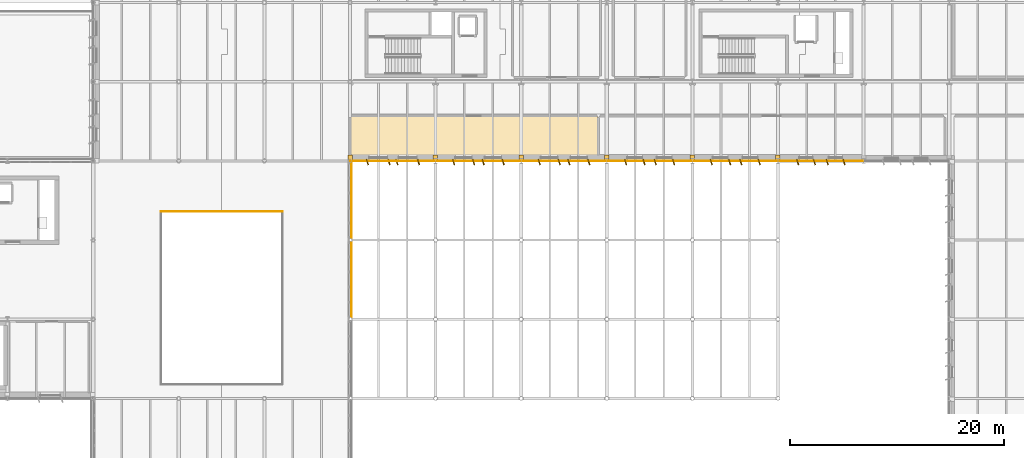
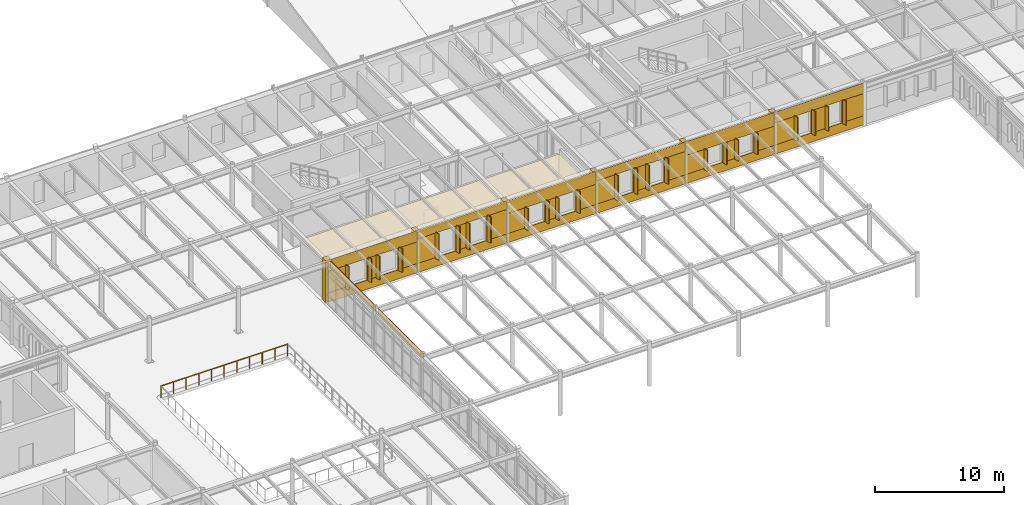
# One storey, part 55 of 63: 63 coverings, 1 railing.
"""IFC4 building model written with IfcOpenShell, lengths in metres."""

from ifc_helpers import new_model, si_unit, direction, frame, frame_2d, origin, origin_2d, place, context, subcontext, project, spatial, polyline, rectangle, circle, outline, extrude, material, layer, layer_set, type_object, element, save


model = new_model("IFC4")

# Units and contexts
model_context = context("Model", 3, precision=1e-05, world=origin(), true_north=direction((0.0, 1.0)))
body_context = subcontext(model_context, "Body", "Model", "MODEL_VIEW")
ifc_project = project(units=[si_unit("LENGTHUNIT", "METRE"), si_unit("AREAUNIT", "SQUARE_METRE"), si_unit("VOLUMEUNIT", "CUBIC_METRE"), si_unit("PLANEANGLEUNIT", "RADIAN"), si_unit("MASSUNIT", "GRAM", prefix="KILO")], contexts=[model_context])

# Site, building, storey
site_placement = place(None, origin())
site = spatial("IfcSite", under=ifc_project, at=site_placement, CompositionType="ELEMENT")
building_placement = place(site_placement, origin())
building = spatial("IfcBuilding", under=site, at=building_placement, Name="Valkorina Park Police Headquarters", CompositionType="ELEMENT")
storey_placement = place(building_placement, frame((0.0, 0.0, 9.89990234375)))
storey = spatial("IfcBuildingStorey", under=building, at=storey_placement, Name="L03", CompositionType="ELEMENT", Elevation=9.89990234375)

# Coverings
ifc_material_1 = material(Name="Acoustic mineral board")
ifc_layer_1 = layer(ifc_material_1, 0.02490234375)
ifc_layer_set_1 = layer_set([ifc_layer_1], Name="Acoustic mineral board")
covering_type_1 = type_object("IfcCoveringType", Name="COV-CEILING-ACOUST", PredefinedType="CEILING", material=ifc_layer_set_1)
covering_1_placement = place(storey_placement, frame((0.0, 0.0, 3.405029296875)))
element("IfcCovering", 1, at=covering_1_placement, inside=storey, type_object=covering_type_1, Name="TETRA Encrypted Radio Core Suite Acoustic Suspended Ceiling", PredefinedType="CEILING", context=body_context, shape_type="SweptSolid", body=[
    extrude(outline(polyline([(103.95849609375, 59.704345703125), (103.959716796875, 59.712158203125), (103.9599609375, 59.719970703125), (103.9599609375, 63.280029296875), (103.959716796875, 63.287841796875), (103.95849609375, 63.295654296875), (103.95654296875, 63.30322265625), (103.953857421875, 63.310546875), (103.95068359375, 63.317626953125), (103.946533203125, 63.324462890625), (103.94189453125, 63.330810546875), (103.9365234375, 63.336669921875), (103.930908203125, 63.341796875), (103.92431640625, 63.346435546875), (103.917724609375, 63.3505859375), (103.91064453125, 63.35400390625), (103.9033203125, 63.356689453125), (103.8955078125, 63.3583984375), (103.8876953125, 63.359619140625), (103.8798828125, 63.360107421875), (80.919921875, 63.360107421875), (80.912109375, 63.359619140625), (80.904296875, 63.3583984375), (80.896728515625, 63.356689453125), (80.889404296875, 63.35400390625), (80.88232421875, 63.3505859375), (80.87548828125, 63.346435546875), (80.869140625, 63.341796875), (80.86328125, 63.336669921875), (80.858154296875, 63.330810546875), (80.853515625, 63.324462890625), (80.849365234375, 63.317626953125), (80.84619140625, 63.310546875), (80.843505859375, 63.30322265625), (80.841552734375, 63.295654296875), (80.84033203125, 63.287841796875), (80.840087890625, 63.280029296875), (80.840087890625, 59.719970703125), (80.84033203125, 59.712158203125), (80.841552734375, 59.704345703125), (80.843505859375, 59.69677734375), (80.84619140625, 59.689453125), (80.849365234375, 59.682373046875), (80.853515625, 59.675537109375), (80.858154296875, 59.669189453125), (80.86328125, 59.663330078125), (80.869140625, 59.658203125), (80.87548828125, 59.653564453125), (80.88232421875, 59.6494140625), (80.889404296875, 59.64599609375), (80.896728515625, 59.643310546875), (80.904296875, 59.6416015625), (80.912109375, 59.640380859375), (80.919921875, 59.639892578125), (103.8798828125, 59.639892578125), (103.8876953125, 59.640380859375), (103.8955078125, 59.6416015625), (103.9033203125, 59.643310546875), (103.91064453125, 59.64599609375), (103.917724609375, 59.6494140625), (103.92431640625, 59.653564453125), (103.930908203125, 59.658203125), (103.9365234375, 59.663330078125), (103.94189453125, 59.669189453125), (103.946533203125, 59.675537109375), (103.95068359375, 59.682373046875), (103.953857421875, 59.689453125), (103.95654296875, 59.69677734375), (103.95849609375, 59.704345703125)])), origin(), (0.0, 0.0, 1.0), 0.025146484375),
])
ifc_material_2 = material(Name="Precast concrete C40/50", Category="concrete")
ifc_layer_2 = layer(ifc_material_2, 0.044921875)
ifc_layer_set_2 = layer_set([ifc_layer_2], Name="Precast concrete C40/50")
covering_type_2 = type_object("IfcCoveringType", Name="COV-CLAD-DOLOMITE", PredefinedType="CLADDING", material=ifc_layer_set_2)
covering_2_placement = place(storey_placement, frame((120.7900390625, 59.489990234375, 0.0), z_axis=(0.0, 0.0, 1.0), x_axis=(1.0, 0.0, 0.0)))
element("IfcCovering", 2, at=covering_2_placement, inside=storey, type_object=covering_type_2, Name="L03 Exterior Joint Closure Pilaster B 2054", PredefinedType="CLADDING", context=body_context, shape_type="SweptSolid", body=[
    extrude(rectangle(XDim=0.419921875, YDim=0.52197265625, at=origin_2d()), origin(), (0.0, 0.0, 1.0), 3.955078125),
])
for number, where, z_axis, x_axis, name in (
    (3, (126.96728515625, 59.080078125, 0.780029296875), (0.0, 0.0, 1.0), (0.317304656405, -0.948323655206, 0.0), "Slanted 18.5-deg Precast Window Slot Fin 2055"),
    (4, (125.3974609375, 59.080078125, 0.780029296875), (0.0, 0.0, 1.0), (0.317304656405, -0.948323655206, 0.0), "Slanted 18.5-deg Precast Window Slot Fin 2056"),
    (5, (124.20263671875, 59.080078125, 0.780029296875), (0.0, 0.0, 1.0), (0.317304656405, -0.948323655206, 0.0), "Slanted 18.5-deg Precast Window Slot Fin 2057"),
    (6, (122.632568359375, 59.080078125, 0.780029296875), (0.0, 0.0, 1.0), (0.317304656405, -0.948323655206, 0.0), "Slanted 18.5-deg Precast Window Slot Fin 2058"),
):
    element("IfcCovering", number, at=place(storey_placement, frame(where, z_axis=z_axis, x_axis=x_axis)), inside=storey, type_object=covering_type_2, Name=name, PredefinedType="CLADDING", context=body_context, shape_type="SweptSolid", body=[
        extrude(rectangle(XDim=0.5400390625, YDim=0.090087890625, at=origin_2d()), origin(), (0.0, 0.0, 1.0), 2.2900390625),
    ])
covering_3_placement = place(storey_placement, frame((128.780029296875, 59.18505859375, 0.0), z_axis=(0.0, 0.0, 1.0), x_axis=(-1.0, 0.0, 0.0)))
element("IfcCovering", 7, at=covering_3_placement, inside=storey, type_object=covering_type_2, Name="L03 Calm Concrete Base Sill Spandrel 2059", PredefinedType="CLADDING", context=body_context, shape_type="SweptSolid", body=[
    extrude(rectangle(XDim=7.9599609375, YDim=0.044921875, at=frame_2d((3.97998046875, 0.0))), origin(), (0.0, 0.0, 1.0), 0.8701171875),
])
covering_4_placement = place(storey_placement, frame((128.780029296875, 59.18505859375, 2.97998046875), z_axis=(0.0, 0.0, 1.0), x_axis=(-1.0, 0.0, 0.0)))
element("IfcCovering", 8, at=covering_4_placement, inside=storey, type_object=covering_type_2, Name="L03 Calm Concrete Base Lintel Spandrel 2060", PredefinedType="CLADDING", context=body_context, shape_type="SweptSolid", body=[
    extrude(rectangle(XDim=7.9599609375, YDim=0.044921875, at=frame_2d((3.97998046875, 0.0))), origin(), (0.0, 0.0, 1.0), 0.97509765625),
])
covering_5_placement = place(storey_placement, frame((128.780029296875, 59.18505859375, 0.8701171875), z_axis=(0.0, 0.0, 1.0), x_axis=(-1.0, 0.0, 0.0)))
element("IfcCovering", 9, at=covering_5_placement, inside=storey, type_object=covering_type_2, Name="L03 Calm Concrete Base Slot Pier 2061", PredefinedType="CLADDING", context=body_context, shape_type="SweptSolid", body=[
    extrude(rectangle(XDim=1.922607421875, YDim=0.044921875, at=frame_2d((0.96142578125, 0.0))), origin(), (0.0, 0.0, 1.0), 2.10986328125),
])
covering_6_placement = place(storey_placement, frame((125.50732421875, 59.18505859375, 0.8701171875), z_axis=(0.0, 0.0, 1.0), x_axis=(-1.0, 0.0, 0.0)))
element("IfcCovering", 10, at=covering_6_placement, inside=storey, type_object=covering_type_2, Name="L03 Calm Concrete Base Slot Pier 2062", PredefinedType="CLADDING", context=body_context, shape_type="SweptSolid", body=[
    extrude(rectangle(XDim=1.414794921875, YDim=0.044921875, at=frame_2d((0.70751953125, 0.0))), origin(), (0.0, 0.0, 1.0), 2.10986328125),
])
covering_7_placement = place(storey_placement, frame((122.74267578125, 59.18505859375, 0.8701171875), z_axis=(0.0, 0.0, 1.0), x_axis=(-1.0, 0.0, 0.0)))
element("IfcCovering", 11, at=covering_7_placement, inside=storey, type_object=covering_type_2, Name="L03 Calm Concrete Base Slot Pier 2063", PredefinedType="CLADDING", context=body_context, shape_type="SweptSolid", body=[
    extrude(rectangle(XDim=1.922607421875, YDim=0.044921875, at=frame_2d((0.96142578125, 0.0))), origin(), (0.0, 0.0, 1.0), 2.10986328125),
])
covering_8_placement = place(storey_placement, frame((112.7900390625, 59.489990234375, 0.0), z_axis=(0.0, 0.0, 1.0), x_axis=(1.0, 0.0, 0.0)))
element("IfcCovering", 12, at=covering_8_placement, inside=storey, type_object=covering_type_2, Name="L03 Exterior Joint Closure Pilaster B 2064", PredefinedType="CLADDING", context=body_context, shape_type="SweptSolid", body=[
    extrude(rectangle(XDim=0.419921875, YDim=0.52197265625, at=origin_2d()), origin(), (0.0, 0.0, 1.0), 3.955078125),
])
for number, where, z_axis, x_axis, name in (
    (13, (119.04248046875, 59.080078125, 0.7802734375), (0.0, 0.0, 1.0), (0.317304656405, -0.948323655206, 0.0), "Slanted 18.5-deg Precast Window Slot Fin 2065"),
    (14, (117.322509765625, 59.080078125, 0.7802734375), (0.0, 0.0, 1.0), (0.317304656405, -0.948323655206, 0.0), "Slanted 18.5-deg Precast Window Slot Fin 2066"),
    (15, (116.277587890625, 59.080078125, 0.7802734375), (0.0, 0.0, 1.0), (0.317304656405, -0.948323655206, 0.0), "Slanted 18.5-deg Precast Window Slot Fin 2067"),
    (16, (114.5576171875, 59.080078125, 0.7802734375), (0.0, 0.0, 1.0), (0.317304656405, -0.948323655206, 0.0), "Slanted 18.5-deg Precast Window Slot Fin 2068"),
):
    element("IfcCovering", number, at=place(storey_placement, frame(where, z_axis=z_axis, x_axis=x_axis)), inside=storey, type_object=covering_type_2, Name=name, PredefinedType="CLADDING", context=body_context, shape_type="SweptSolid", body=[
        extrude(rectangle(XDim=0.5400390625, YDim=0.090087890625, at=origin_2d()), origin(), (0.0, 0.0, 1.0), 1.989990234375),
    ])
covering_9_placement = place(storey_placement, frame((120.780029296875, 59.18505859375, 0.0), z_axis=(0.0, 0.0, 1.0), x_axis=(-1.0, 0.0, 0.0)))
element("IfcCovering", 17, at=covering_9_placement, inside=storey, type_object=covering_type_2, Name="L03 Calm Concrete Base Sill Spandrel 2069", PredefinedType="CLADDING", context=body_context, shape_type="SweptSolid", body=[
    extrude(rectangle(XDim=7.9599609375, YDim=0.044921875, at=frame_2d((3.97998046875, 0.0))), origin(), (0.0, 0.0, 1.0), 0.8701171875),
])
covering_10_placement = place(storey_placement, frame((120.780029296875, 59.18505859375, 2.68017578125), z_axis=(0.0, 0.0, 1.0), x_axis=(-1.0, 0.0, 0.0)))
element("IfcCovering", 18, at=covering_10_placement, inside=storey, type_object=covering_type_2, Name="L03 Calm Concrete Base Lintel Spandrel 2070", PredefinedType="CLADDING", context=body_context, shape_type="SweptSolid", body=[
    extrude(rectangle(XDim=7.9599609375, YDim=0.044921875, at=frame_2d((3.97998046875, 0.0))), origin(), (0.0, 0.0, 1.0), 1.27490234375),
])
covering_11_placement = place(storey_placement, frame((120.780029296875, 59.18505859375, 0.8701171875), z_axis=(0.0, 0.0, 1.0), x_axis=(-1.0, 0.0, 0.0)))
element("IfcCovering", 19, at=covering_11_placement, inside=storey, type_object=covering_type_2, Name="L03 Calm Concrete Base Slot Pier 2071", PredefinedType="CLADDING", context=body_context, shape_type="SweptSolid", body=[
    extrude(rectangle(XDim=1.84765625, YDim=0.044921875, at=frame_2d((0.923828125, 0.0))), origin(), (0.0, 0.0, 1.0), 1.81005859375),
])
covering_12_placement = place(storey_placement, frame((117.432373046875, 59.18505859375, 0.8701171875), z_axis=(0.0, 0.0, 1.0), x_axis=(-1.0, 0.0, 0.0)))
element("IfcCovering", 20, at=covering_12_placement, inside=storey, type_object=covering_type_2, Name="L03 Calm Concrete Base Slot Pier 2072", PredefinedType="CLADDING", context=body_context, shape_type="SweptSolid", body=[
    extrude(rectangle(XDim=1.264892578125, YDim=0.044921875, at=frame_2d((0.63232421875, 0.0))), origin(), (0.0, 0.0, 1.0), 1.81005859375),
])
covering_13_placement = place(storey_placement, frame((114.66748046875, 59.18505859375, 0.8701171875), z_axis=(0.0, 0.0, 1.0), x_axis=(-1.0, 0.0, 0.0)))
element("IfcCovering", 21, at=covering_13_placement, inside=storey, type_object=covering_type_2, Name="L03 Calm Concrete Base Slot Pier 2073", PredefinedType="CLADDING", context=body_context, shape_type="SweptSolid", body=[
    extrude(rectangle(XDim=1.847412109375, YDim=0.044921875, at=frame_2d((0.923828125, 0.0))), origin(), (0.0, 0.0, 1.0), 1.81005859375),
])
covering_14_placement = place(storey_placement, frame((104.7900390625, 59.489990234375, 0.0), z_axis=(0.0, 0.0, 1.0), x_axis=(1.0, 0.0, 0.0)))
element("IfcCovering", 22, at=covering_14_placement, inside=storey, type_object=covering_type_2, Name="L03 Exterior Joint Closure Pilaster B 2074", PredefinedType="CLADDING", context=body_context, shape_type="SweptSolid", body=[
    extrude(rectangle(XDim=0.419921875, YDim=0.52197265625, at=origin_2d()), origin(), (0.0, 0.0, 1.0), 3.955078125),
])
for number, where, z_axis, x_axis, name in (
    (23, (111.04248046875, 59.080078125, 0.7802734375), (0.0, 0.0, 1.0), (0.317304656405, -0.948323655206, 0.0), "Slanted 18.5-deg Precast Window Slot Fin 2075"),
    (24, (109.322509765625, 59.080078125, 0.7802734375), (0.0, 0.0, 1.0), (0.317304656405, -0.948323655206, 0.0), "Slanted 18.5-deg Precast Window Slot Fin 2076"),
    (25, (108.277587890625, 59.080078125, 0.7802734375), (0.0, 0.0, 1.0), (0.317304656405, -0.948323655206, 0.0), "Slanted 18.5-deg Precast Window Slot Fin 2077"),
    (26, (106.5576171875, 59.080078125, 0.7802734375), (0.0, 0.0, 1.0), (0.317304656405, -0.948323655206, 0.0), "Slanted 18.5-deg Precast Window Slot Fin 2078"),
):
    element("IfcCovering", number, at=place(storey_placement, frame(where, z_axis=z_axis, x_axis=x_axis)), inside=storey, type_object=covering_type_2, Name=name, PredefinedType="CLADDING", context=body_context, shape_type="SweptSolid", body=[
        extrude(rectangle(XDim=0.5400390625, YDim=0.090087890625, at=origin_2d()), origin(), (0.0, 0.0, 1.0), 2.389892578125),
    ])
covering_15_placement = place(storey_placement, frame((112.780029296875, 59.18505859375, 0.0), z_axis=(0.0, 0.0, 1.0), x_axis=(-1.0, 0.0, 0.0)))
element("IfcCovering", 27, at=covering_15_placement, inside=storey, type_object=covering_type_2, Name="L03 Calm Concrete Base Sill Spandrel 2079", PredefinedType="CLADDING", context=body_context, shape_type="SweptSolid", body=[
    extrude(rectangle(XDim=7.9599609375, YDim=0.044921875, at=frame_2d((3.97998046875, 0.0))), origin(), (0.0, 0.0, 1.0), 0.8701171875),
])
covering_16_placement = place(storey_placement, frame((112.780029296875, 59.18505859375, 3.080078125), z_axis=(0.0, 0.0, 1.0), x_axis=(-1.0, 0.0, 0.0)))
element("IfcCovering", 28, at=covering_16_placement, inside=storey, type_object=covering_type_2, Name="L03 Calm Concrete Base Lintel Spandrel 2080", PredefinedType="CLADDING", context=body_context, shape_type="SweptSolid", body=[
    extrude(rectangle(XDim=7.9599609375, YDim=0.044921875, at=frame_2d((3.97998046875, 0.0))), origin(), (0.0, 0.0, 1.0), 0.875),
])
covering_17_placement = place(storey_placement, frame((112.780029296875, 59.18505859375, 0.8701171875), z_axis=(0.0, 0.0, 1.0), x_axis=(-1.0, 0.0, 0.0)))
element("IfcCovering", 29, at=covering_17_placement, inside=storey, type_object=covering_type_2, Name="L03 Calm Concrete Base Slot Pier 2081", PredefinedType="CLADDING", context=body_context, shape_type="SweptSolid", body=[
    extrude(rectangle(XDim=1.84765625, YDim=0.044921875, at=frame_2d((0.923828125, 0.0))), origin(), (0.0, 0.0, 1.0), 2.2099609375),
])
covering_18_placement = place(storey_placement, frame((109.432373046875, 59.18505859375, 0.8701171875), z_axis=(0.0, 0.0, 1.0), x_axis=(-1.0, 0.0, 0.0)))
element("IfcCovering", 30, at=covering_18_placement, inside=storey, type_object=covering_type_2, Name="L03 Calm Concrete Base Slot Pier 2082", PredefinedType="CLADDING", context=body_context, shape_type="SweptSolid", body=[
    extrude(rectangle(XDim=1.264892578125, YDim=0.044921875, at=frame_2d((0.63232421875, 0.0))), origin(), (0.0, 0.0, 1.0), 2.2099609375),
])
covering_19_placement = place(storey_placement, frame((106.66748046875, 59.18505859375, 0.8701171875), z_axis=(0.0, 0.0, 1.0), x_axis=(-1.0, 0.0, 0.0)))
element("IfcCovering", 31, at=covering_19_placement, inside=storey, type_object=covering_type_2, Name="L03 Calm Concrete Base Slot Pier 2083", PredefinedType="CLADDING", context=body_context, shape_type="SweptSolid", body=[
    extrude(rectangle(XDim=1.847412109375, YDim=0.044921875, at=frame_2d((0.923828125, 0.0))), origin(), (0.0, 0.0, 1.0), 2.2099609375),
])
covering_20_placement = place(storey_placement, frame((96.7900390625, 59.489990234375, 0.0), z_axis=(0.0, 0.0, 1.0), x_axis=(1.0, 0.0, 0.0)))
element("IfcCovering", 32, at=covering_20_placement, inside=storey, type_object=covering_type_2, Name="L03 Exterior Joint Closure Pilaster B 2084", PredefinedType="CLADDING", context=body_context, shape_type="SweptSolid", body=[
    extrude(rectangle(XDim=0.419921875, YDim=0.52197265625, at=origin_2d()), origin(), (0.0, 0.0, 1.0), 3.955078125),
])
for number, where, z_axis, x_axis, name in (
    (33, (103.117431640625, 59.080078125, 0.7802734375), (0.0, 0.0, 1.0), (0.317304656405, -0.948323655206, 0.0), "Slanted 18.5-deg Precast Window Slot Fin 2085"),
    (34, (101.247314453125, 59.080078125, 0.7802734375), (0.0, 0.0, 1.0), (0.317304656405, -0.948323655206, 0.0), "Slanted 18.5-deg Precast Window Slot Fin 2086"),
    (35, (100.3525390625, 59.080078125, 0.7802734375), (0.0, 0.0, 1.0), (0.317304656405, -0.948323655206, 0.0), "Slanted 18.5-deg Precast Window Slot Fin 2087"),
    (36, (98.482666015625, 59.080078125, 0.7802734375), (0.0, 0.0, 1.0), (0.317304656405, -0.948323655206, 0.0), "Slanted 18.5-deg Precast Window Slot Fin 2088"),
):
    element("IfcCovering", number, at=place(storey_placement, frame(where, z_axis=z_axis, x_axis=x_axis)), inside=storey, type_object=covering_type_2, Name=name, PredefinedType="CLADDING", context=body_context, shape_type="SweptSolid", body=[
        extrude(rectangle(XDim=0.5400390625, YDim=0.090087890625, at=origin_2d()), origin(), (0.0, 0.0, 1.0), 2.090087890625),
    ])
covering_21_placement = place(storey_placement, frame((104.780029296875, 59.18505859375, 0.0), z_axis=(0.0, 0.0, 1.0), x_axis=(-1.0, 0.0, 0.0)))
element("IfcCovering", 37, at=covering_21_placement, inside=storey, type_object=covering_type_2, Name="L03 Calm Concrete Base Sill Spandrel 2089", PredefinedType="CLADDING", context=body_context, shape_type="SweptSolid", body=[
    extrude(rectangle(XDim=7.9599609375, YDim=0.044921875, at=frame_2d((3.97998046875, 0.0))), origin(), (0.0, 0.0, 1.0), 0.8701171875),
])
covering_22_placement = place(storey_placement, frame((104.780029296875, 59.18505859375, 2.780029296875), z_axis=(0.0, 0.0, 1.0), x_axis=(-1.0, 0.0, 0.0)))
element("IfcCovering", 38, at=covering_22_placement, inside=storey, type_object=covering_type_2, Name="L03 Calm Concrete Base Lintel Spandrel 2090", PredefinedType="CLADDING", context=body_context, shape_type="SweptSolid", body=[
    extrude(rectangle(XDim=7.9599609375, YDim=0.044921875, at=frame_2d((3.97998046875, 0.0))), origin(), (0.0, 0.0, 1.0), 1.175048828125),
])
covering_23_placement = place(storey_placement, frame((104.780029296875, 59.18505859375, 0.8701171875), z_axis=(0.0, 0.0, 1.0), x_axis=(-1.0, 0.0, 0.0)))
element("IfcCovering", 39, at=covering_23_placement, inside=storey, type_object=covering_type_2, Name="L03 Calm Concrete Base Slot Pier 2091", PredefinedType="CLADDING", context=body_context, shape_type="SweptSolid", body=[
    extrude(rectangle(XDim=1.772705078125, YDim=0.044921875, at=frame_2d((0.88623046875, 0.0))), origin(), (0.0, 0.0, 1.0), 1.909912109375),
])
covering_24_placement = place(storey_placement, frame((101.357421875, 59.18505859375, 0.8701171875), z_axis=(0.0, 0.0, 1.0), x_axis=(-1.0, 0.0, 0.0)))
element("IfcCovering", 40, at=covering_24_placement, inside=storey, type_object=covering_type_2, Name="L03 Calm Concrete Base Slot Pier 2092", PredefinedType="CLADDING", context=body_context, shape_type="SweptSolid", body=[
    extrude(rectangle(XDim=1.11474609375, YDim=0.044921875, at=frame_2d((0.557373046875, 0.0))), origin(), (0.0, 0.0, 1.0), 1.909912109375),
])
covering_25_placement = place(storey_placement, frame((98.592529296875, 59.18505859375, 0.8701171875), z_axis=(0.0, 0.0, 1.0), x_axis=(-1.0, 0.0, 0.0)))
element("IfcCovering", 41, at=covering_25_placement, inside=storey, type_object=covering_type_2, Name="L03 Calm Concrete Base Slot Pier 2093", PredefinedType="CLADDING", context=body_context, shape_type="SweptSolid", body=[
    extrude(rectangle(XDim=1.7724609375, YDim=0.044921875, at=frame_2d((0.88623046875, 0.0))), origin(), (0.0, 0.0, 1.0), 1.909912109375),
])
covering_26_placement = place(storey_placement, frame((88.7900390625, 59.489990234375, 0.0), z_axis=(0.0, 0.0, 1.0), x_axis=(1.0, 0.0, 0.0)))
element("IfcCovering", 42, at=covering_26_placement, inside=storey, type_object=covering_type_2, Name="L03 Exterior Joint Closure Pilaster B 2094", PredefinedType="CLADDING", context=body_context, shape_type="SweptSolid", body=[
    extrude(rectangle(XDim=0.419921875, YDim=0.52197265625, at=origin_2d()), origin(), (0.0, 0.0, 1.0), 3.955078125),
])
for number, where, z_axis, x_axis, name in (
    (43, (95.117431640625, 59.080078125, 0.7802734375), (0.0, 0.0, 1.0), (0.317304656405, -0.948323655206, 0.0), "Slanted 18.5-deg Precast Window Slot Fin 2095"),
    (44, (93.247314453125, 59.080078125, 0.7802734375), (0.0, 0.0, 1.0), (0.317304656405, -0.948323655206, 0.0), "Slanted 18.5-deg Precast Window Slot Fin 2096"),
    (45, (92.3525390625, 59.080078125, 0.7802734375), (0.0, 0.0, 1.0), (0.317304656405, -0.948323655206, 0.0), "Slanted 18.5-deg Precast Window Slot Fin 2097"),
    (46, (90.482666015625, 59.080078125, 0.7802734375), (0.0, 0.0, 1.0), (0.317304656405, -0.948323655206, 0.0), "Slanted 18.5-deg Precast Window Slot Fin 2098"),
):
    element("IfcCovering", number, at=place(storey_placement, frame(where, z_axis=z_axis, x_axis=x_axis)), inside=storey, type_object=covering_type_2, Name=name, PredefinedType="CLADDING", context=body_context, shape_type="SweptSolid", body=[
        extrude(rectangle(XDim=0.5400390625, YDim=0.090087890625, at=origin_2d()), origin(), (0.0, 0.0, 1.0), 2.489990234375),
    ])
covering_27_placement = place(storey_placement, frame((96.780029296875, 59.18505859375, 0.0), z_axis=(0.0, 0.0, 1.0), x_axis=(-1.0, 0.0, 0.0)))
element("IfcCovering", 47, at=covering_27_placement, inside=storey, type_object=covering_type_2, Name="L03 Calm Concrete Base Sill Spandrel 2099", PredefinedType="CLADDING", context=body_context, shape_type="SweptSolid", body=[
    extrude(rectangle(XDim=7.9599609375, YDim=0.044921875, at=frame_2d((3.97998046875, 0.0))), origin(), (0.0, 0.0, 1.0), 0.8701171875),
])
covering_28_placement = place(storey_placement, frame((96.780029296875, 59.18505859375, 3.18017578125), z_axis=(0.0, 0.0, 1.0), x_axis=(-1.0, 0.0, 0.0)))
element("IfcCovering", 48, at=covering_28_placement, inside=storey, type_object=covering_type_2, Name="L03 Calm Concrete Base Lintel Spandrel 2100", PredefinedType="CLADDING", context=body_context, shape_type="SweptSolid", body=[
    extrude(rectangle(XDim=7.9599609375, YDim=0.044921875, at=frame_2d((3.97998046875, 0.0))), origin(), (0.0, 0.0, 1.0), 0.77490234375),
])
covering_29_placement = place(storey_placement, frame((96.780029296875, 59.18505859375, 0.8701171875), z_axis=(0.0, 0.0, 1.0), x_axis=(-1.0, 0.0, 0.0)))
element("IfcCovering", 49, at=covering_29_placement, inside=storey, type_object=covering_type_2, Name="L03 Calm Concrete Base Slot Pier 2101", PredefinedType="CLADDING", context=body_context, shape_type="SweptSolid", body=[
    extrude(rectangle(XDim=1.772705078125, YDim=0.044921875, at=frame_2d((0.88623046875, 0.0))), origin(), (0.0, 0.0, 1.0), 2.31005859375),
])
covering_30_placement = place(storey_placement, frame((93.357421875, 59.18505859375, 0.8701171875), z_axis=(0.0, 0.0, 1.0), x_axis=(-1.0, 0.0, 0.0)))
element("IfcCovering", 50, at=covering_30_placement, inside=storey, type_object=covering_type_2, Name="L03 Calm Concrete Base Slot Pier 2102", PredefinedType="CLADDING", context=body_context, shape_type="SweptSolid", body=[
    extrude(rectangle(XDim=1.11474609375, YDim=0.044921875, at=frame_2d((0.557373046875, 0.0))), origin(), (0.0, 0.0, 1.0), 2.31005859375),
])
covering_31_placement = place(storey_placement, frame((90.592529296875, 59.18505859375, 0.8701171875), z_axis=(0.0, 0.0, 1.0), x_axis=(-1.0, 0.0, 0.0)))
element("IfcCovering", 51, at=covering_31_placement, inside=storey, type_object=covering_type_2, Name="L03 Calm Concrete Base Slot Pier 2103", PredefinedType="CLADDING", context=body_context, shape_type="SweptSolid", body=[
    extrude(rectangle(XDim=1.7724609375, YDim=0.044921875, at=frame_2d((0.88623046875, 0.0))), origin(), (0.0, 0.0, 1.0), 2.31005859375),
])
covering_32_placement = place(storey_placement, frame((80.81787109375, 59.489990234375, 0.0), z_axis=(0.0, 0.0, 1.0), x_axis=(1.0, 0.0, 0.0)))
element("IfcCovering", 52, at=covering_32_placement, inside=storey, type_object=covering_type_2, Name="L03 Exterior Joint Closure Pilaster B 2104", PredefinedType="CLADDING", context=body_context, shape_type="SweptSolid", body=[
    extrude(rectangle(XDim=0.419921875, YDim=0.52197265625, at=origin_2d()), origin(), (0.0, 0.0, 1.0), 3.955078125),
])
for number, where, z_axis, x_axis, name in (
    (53, (87.201416015625, 59.080078125, 0.7802734375), (0.0, 0.0, 1.0), (0.317304656405, -0.948323655206, 0.0), "Slanted 18.5-deg Precast Window Slot Fin 2105"),
    (54, (85.181396484375, 59.080078125, 0.7802734375), (0.0, 0.0, 1.0), (0.317304656405, -0.948323655206, 0.0), "Slanted 18.5-deg Precast Window Slot Fin 2106"),
    (55, (84.446533203125, 59.080078125, 0.7802734375), (0.0, 0.0, 1.0), (0.317304656405, -0.948323655206, 0.0), "Slanted 18.5-deg Precast Window Slot Fin 2107"),
    (56, (82.426513671875, 59.080078125, 0.7802734375), (0.0, 0.0, 1.0), (0.317304656405, -0.948323655206, 0.0), "Slanted 18.5-deg Precast Window Slot Fin 2108"),
):
    element("IfcCovering", number, at=place(storey_placement, frame(where, z_axis=z_axis, x_axis=x_axis)), inside=storey, type_object=covering_type_2, Name=name, PredefinedType="CLADDING", context=body_context, shape_type="SweptSolid", body=[
        extrude(rectangle(XDim=0.5400390625, YDim=0.090087890625, at=origin_2d()), origin(), (0.0, 0.0, 1.0), 2.239990234375),
    ])
covering_33_placement = place(storey_placement, frame((88.780029296875, 59.18505859375, 0.0), z_axis=(0.0, 0.0, 1.0), x_axis=(-1.0, 0.0, 0.0)))
element("IfcCovering", 57, at=covering_33_placement, inside=storey, type_object=covering_type_2, Name="L03 Calm Concrete Base Sill Spandrel 2109", PredefinedType="CLADDING", context=body_context, shape_type="SweptSolid", body=[
    extrude(rectangle(XDim=7.9599609375, YDim=0.044921875, at=frame_2d((3.97998046875, 0.0))), origin(), (0.0, 0.0, 1.0), 0.8701171875),
])
covering_34_placement = place(storey_placement, frame((88.780029296875, 59.18505859375, 2.93017578125), z_axis=(0.0, 0.0, 1.0), x_axis=(-1.0, 0.0, 0.0)))
element("IfcCovering", 58, at=covering_34_placement, inside=storey, type_object=covering_type_2, Name="L03 Calm Concrete Base Lintel Spandrel 2110", PredefinedType="CLADDING", context=body_context, shape_type="SweptSolid", body=[
    extrude(rectangle(XDim=7.9599609375, YDim=0.044921875, at=frame_2d((3.97998046875, 0.0))), origin(), (0.0, 0.0, 1.0), 1.02490234375),
])
covering_35_placement = place(storey_placement, frame((88.780029296875, 59.18505859375, 0.8701171875), z_axis=(0.0, 0.0, 1.0), x_axis=(-1.0, 0.0, 0.0)))
element("IfcCovering", 59, at=covering_35_placement, inside=storey, type_object=covering_type_2, Name="L03 Calm Concrete Base Slot Pier 2111", PredefinedType="CLADDING", context=body_context, shape_type="SweptSolid", body=[
    extrude(rectangle(XDim=1.688720703125, YDim=0.044921875, at=frame_2d((0.84423828125, 0.0))), origin(), (0.0, 0.0, 1.0), 2.06005859375),
])
covering_36_placement = place(storey_placement, frame((85.291259765625, 59.18505859375, 0.8701171875), z_axis=(0.0, 0.0, 1.0), x_axis=(-1.0, 0.0, 0.0)))
element("IfcCovering", 60, at=covering_36_placement, inside=storey, type_object=covering_type_2, Name="L03 Calm Concrete Base Slot Pier 2112", PredefinedType="CLADDING", context=body_context, shape_type="SweptSolid", body=[
    extrude(rectangle(XDim=0.954833984375, YDim=0.044921875, at=frame_2d((0.4775390625, 0.0))), origin(), (0.0, 0.0, 1.0), 2.06005859375),
])
covering_37_placement = place(storey_placement, frame((82.53662109375, 59.18505859375, 0.8701171875), z_axis=(0.0, 0.0, 1.0), x_axis=(-1.0, 0.0, 0.0)))
element("IfcCovering", 61, at=covering_37_placement, inside=storey, type_object=covering_type_2, Name="L03 Calm Concrete Base Slot Pier 2113", PredefinedType="CLADDING", context=body_context, shape_type="SweptSolid", body=[
    extrude(rectangle(XDim=1.716552734375, YDim=0.044921875, at=frame_2d((0.8583984375, 0.0))), origin(), (0.0, 0.0, 1.0), 2.06005859375),
])
covering_38_placement = place(storey_placement, frame((80.9599609375, 59.01220703125, 3.360107421875), z_axis=(0.0, 0.0, 1.0), x_axis=(0.0, -1.0, 0.0)))
element("IfcCovering", 62, at=covering_38_placement, inside=storey, type_object=covering_type_2, Name="L03 Spandrel Beam Insulated Fascia 2114", PredefinedType="CLADDING", context=body_context, shape_type="SweptSolid", body=[
    extrude(rectangle(XDim=7.0244140625, YDim=0.044921875, at=frame_2d((3.51220703125, 0.0))), origin(), (0.0, 0.0, 1.0), 0.594970703125),
])
covering_39_placement = place(storey_placement, frame((80.9599609375, 51.6123046875, 3.39501953125), z_axis=(0.0, 0.0, 1.0), x_axis=(0.0, -1.0, 0.0)))
element("IfcCovering", 63, at=covering_39_placement, inside=storey, type_object=covering_type_2, Name="L03 Spandrel Beam Insulated Fascia 2115", PredefinedType="CLADDING", context=body_context, shape_type="SweptSolid", body=[
    extrude(rectangle(XDim=7.0244140625, YDim=0.044921875, at=frame_2d((3.51220703125, 0.0))), origin(), (0.0, 0.0, 1.0), 0.56005859375),
])

# Railing
ifc_material_3 = material(Name="Stainless steel EN 1.4404", Category="steel")
railing_type = type_object("IfcRailingType", Name="RL-GUARD-INT-1100", PredefinedType="BALUSTRADE", material=ifc_material_3)
railing_placement = place(storey_placement, frame((74.47998046875, 54.47998046875, 0.0)))
element("IfcRailing", 64, at=railing_placement, inside=storey, type_object=railing_type, Name="L03 Winter Concourse Atrium Balustrade 7", PredefinedType="BALUSTRADE", context=body_context, shape_type="SweptSolid", body=[
    extrude(circle(Radius=0.02392578125, at=origin_2d()), frame((0.0, 0.0, 1.09619140625), z_axis=(-1.0, 0.0, 0.0), x_axis=(0.0, -1.0, 0.0)), (0.0, 0.0, 1.0), 11.35986328125),
    extrude(circle(Radius=0.02099609375, at=origin_2d()), origin(), (0.0, 0.0, 1.0), 1.072021484375),
    extrude(circle(Radius=0.02099609375, at=origin_2d()), frame((-1.135986328125, 0.0, 0.0)), (0.0, 0.0, 1.0), 1.072021484375),
    extrude(circle(Radius=0.02099609375, at=origin_2d()), frame((-2.27197265625, 0.0, 0.0)), (0.0, 0.0, 1.0), 1.072021484375),
    extrude(circle(Radius=0.02099609375, at=origin_2d()), frame((-3.407958984375, 0.0, 0.0)), (0.0, 0.0, 1.0), 1.072021484375),
    extrude(circle(Radius=0.02099609375, at=origin_2d()), frame((-4.5439453125, 0.0, 0.0)), (0.0, 0.0, 1.0), 1.072021484375),
    extrude(circle(Radius=0.02099609375, at=origin_2d()), frame((-5.679931640625, 0.0, 0.0)), (0.0, 0.0, 1.0), 1.072021484375),
    extrude(circle(Radius=0.02099609375, at=origin_2d()), frame((-6.81591796875, 0.0, 0.0)), (0.0, 0.0, 1.0), 1.072021484375),
    extrude(circle(Radius=0.02099609375, at=origin_2d()), frame((-7.951904296875, 0.0, 0.0)), (0.0, 0.0, 1.0), 1.072021484375),
    extrude(circle(Radius=0.02099609375, at=origin_2d()), frame((-9.087890625, 0.0, 0.0)), (0.0, 0.0, 1.0), 1.072021484375),
    extrude(circle(Radius=0.02099609375, at=origin_2d()), frame((-10.223876953125, 0.0, 0.0)), (0.0, 0.0, 1.0), 1.072021484375),
    extrude(circle(Radius=0.02099609375, at=origin_2d()), frame((-11.35986328125, 0.0, 0.0)), (0.0, 0.0, 1.0), 1.072021484375),
])

save(model, "model.ifc")
